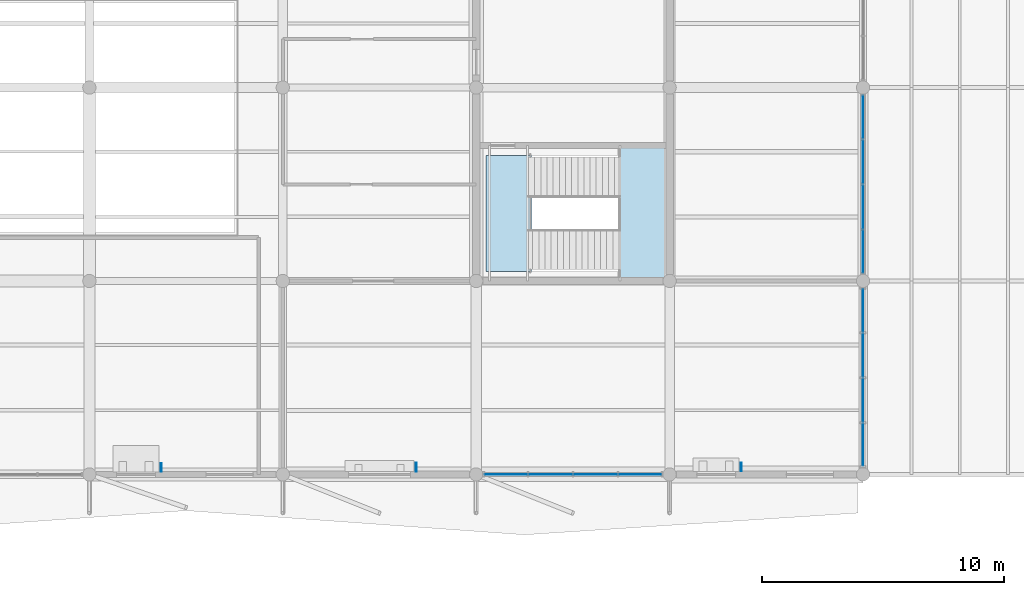
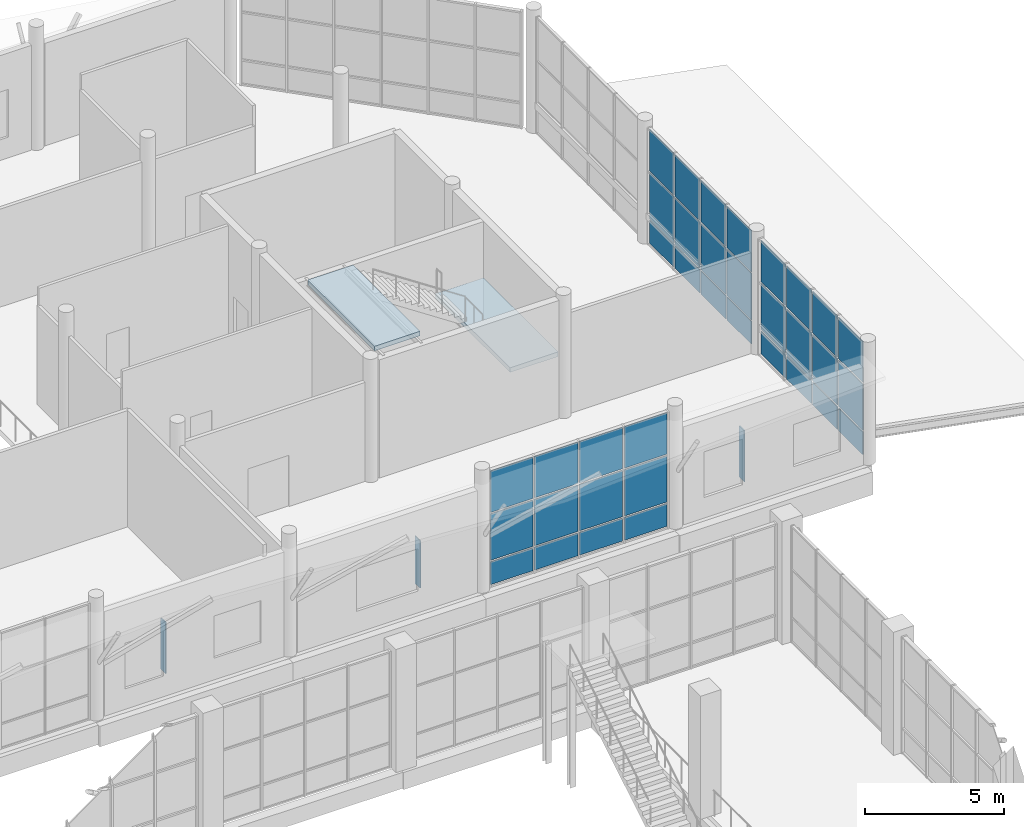
# One storey, part 96 of 122: 39 plates, 2 slabs, 4 elements without a shape of their own.
"""IFC4 building model written with IfcOpenShell, lengths in metres."""

from ifc_helpers import new_model, si_unit, direction, frame, origin, origin_2d, place, context, subcontext, project, spatial, polyline, rectangle, outline, extrude, material, layer, layer_set, type_object, element, aggregate, save


model = new_model("IFC4")

# Units and contexts
model_context = context("Model", 3, precision=1e-05, world=origin(), true_north=direction((0.0, 1.0)))
body_context = subcontext(model_context, "Body", "Model", "MODEL_VIEW")
ifc_project = project(units=[si_unit("LENGTHUNIT", "METRE"), si_unit("AREAUNIT", "SQUARE_METRE"), si_unit("VOLUMEUNIT", "CUBIC_METRE"), si_unit("PLANEANGLEUNIT", "RADIAN"), si_unit("MASSUNIT", "GRAM", prefix="KILO")], contexts=[model_context])

# Site, building, storey
site_placement = place(None, origin())
site = spatial("IfcSite", under=ifc_project, at=site_placement, CompositionType="ELEMENT")
building_placement = place(site_placement, origin())
building = spatial("IfcBuilding", under=site, at=building_placement, Name="Tenunan Teduh Sports Hall", CompositionType="ELEMENT")
storey_placement = place(building_placement, frame((0.0, 0.0, 5.39990234375)))
storey = spatial("IfcBuildingStorey", under=building, at=storey_placement, Name="L01", CompositionType="ELEMENT", Elevation=5.39990234375)

# Curtain wall, plates
ifc_material_1 = material(Name="Anodised aluminium", Category="aluminium")
curtain_wall_type = type_object("IfcCurtainWallType", Name="CW-UNIT-1", PredefinedType="NOTDEFINED", material=ifc_material_1)
curtain_wall_1_placement = place(storey_placement, origin())
curtain_wall_1 = element("IfcCurtainWall", 1, at=curtain_wall_1_placement, inside=storey, type_object=curtain_wall_type, Name="CW-CWM-200-L01-244", PredefinedType="NOTDEFINED")
ifc_material_2 = material(Name="Low-E laminated double glazing", Category="glass")
ifc_layer_1 = layer(ifc_material_2, 0.028076171875)
ifc_layer_set_1 = layer_set([ifc_layer_1], Name="Low-E laminated double glazing")
plate_type_1 = type_object("IfcPlateType", Name="CWP-GLZ-28", PredefinedType="CURTAIN_PANEL", material=ifc_layer_set_1)
plate_1_placement = place(storey_placement, frame((147.2236328125, 86.0, 1.13525390625), z_axis=(0.0, 0.0, 1.0), x_axis=(1.0, 0.0, 0.0)))
plate_1 = element("IfcPlate", 2, at=plate_1_placement, type_object=plate_type_1, Name="CW-01 panel 1.2", PredefinedType="CURTAIN_PANEL", context=body_context, shape_type="SweptSolid", body=[
    extrude(rectangle(XDim=1.757568359375, YDim=0.028076171875, at=origin_2d()), origin(), (0.0, 0.0, 1.0), 2.030029296875),
])
plate_2_placement = place(storey_placement, frame((147.2236328125, 86.0, 3.235107421875), z_axis=(0.0, 0.0, 1.0), x_axis=(1.0, 0.0, 0.0)))
plate_2 = element("IfcPlate", 3, at=plate_2_placement, type_object=plate_type_1, Name="CW-01 panel 1.3", PredefinedType="CURTAIN_PANEL", context=body_context, shape_type="SweptSolid", body=[
    extrude(rectangle(XDim=1.757568359375, YDim=0.028076171875, at=origin_2d()), origin(), (0.0, 0.0, 1.0), 1.81494140625),
])
plate_3_placement = place(storey_placement, frame((149.06884765625, 86.0, 1.13525390625), z_axis=(0.0, 0.0, 1.0), x_axis=(1.0, 0.0, 0.0)))
plate_3 = element("IfcPlate", 4, at=plate_3_placement, type_object=plate_type_1, Name="CW-01 panel 2.2", PredefinedType="CURTAIN_PANEL", context=body_context, shape_type="SweptSolid", body=[
    extrude(rectangle(XDim=1.79248046875, YDim=0.028076171875, at=origin_2d()), origin(), (0.0, 0.0, 1.0), 2.030029296875),
])
plate_4_placement = place(storey_placement, frame((149.06884765625, 86.0, 3.235107421875), z_axis=(0.0, 0.0, 1.0), x_axis=(1.0, 0.0, 0.0)))
plate_4 = element("IfcPlate", 5, at=plate_4_placement, type_object=plate_type_1, Name="CW-01 panel 2.3", PredefinedType="CURTAIN_PANEL", context=body_context, shape_type="SweptSolid", body=[
    extrude(rectangle(XDim=1.79248046875, YDim=0.028076171875, at=origin_2d()), origin(), (0.0, 0.0, 1.0), 1.81494140625),
])
plate_5_placement = place(storey_placement, frame((150.93115234375, 86.0, 1.13525390625), z_axis=(0.0, 0.0, 1.0), x_axis=(1.0, 0.0, 0.0)))
plate_5 = element("IfcPlate", 6, at=plate_5_placement, type_object=plate_type_1, Name="CW-01 panel 3.2", PredefinedType="CURTAIN_PANEL", context=body_context, shape_type="SweptSolid", body=[
    extrude(rectangle(XDim=1.79248046875, YDim=0.028076171875, at=origin_2d()), origin(), (0.0, 0.0, 1.0), 2.030029296875),
])
plate_6_placement = place(storey_placement, frame((150.93115234375, 86.0, 3.235107421875), z_axis=(0.0, 0.0, 1.0), x_axis=(1.0, 0.0, 0.0)))
plate_6 = element("IfcPlate", 7, at=plate_6_placement, type_object=plate_type_1, Name="CW-01 panel 3.3", PredefinedType="CURTAIN_PANEL", context=body_context, shape_type="SweptSolid", body=[
    extrude(rectangle(XDim=1.79248046875, YDim=0.028076171875, at=origin_2d()), origin(), (0.0, 0.0, 1.0), 1.81494140625),
])
plate_7_placement = place(storey_placement, frame((152.7763671875, 86.0, 1.13525390625), z_axis=(0.0, 0.0, 1.0), x_axis=(1.0, 0.0, 0.0)))
plate_7 = element("IfcPlate", 8, at=plate_7_placement, type_object=plate_type_1, Name="CW-01 panel 4.2", PredefinedType="CURTAIN_PANEL", context=body_context, shape_type="SweptSolid", body=[
    extrude(rectangle(XDim=1.757568359375, YDim=0.028076171875, at=origin_2d()), origin(), (0.0, 0.0, 1.0), 2.030029296875),
])
plate_8_placement = place(storey_placement, frame((152.7763671875, 86.0, 3.235107421875), z_axis=(0.0, 0.0, 1.0), x_axis=(1.0, 0.0, 0.0)))
plate_8 = element("IfcPlate", 9, at=plate_8_placement, type_object=plate_type_1, Name="CW-01 panel 4.3", PredefinedType="CURTAIN_PANEL", context=body_context, shape_type="SweptSolid", body=[
    extrude(rectangle(XDim=1.757568359375, YDim=0.028076171875, at=origin_2d()), origin(), (0.0, 0.0, 1.0), 1.81494140625),
])

curtain_wall_2_placement = place(storey_placement, origin())
curtain_wall_2 = element("IfcCurtainWall", 10, at=curtain_wall_2_placement, inside=storey, type_object=curtain_wall_type, Name="CW-CWM-175-L01-246", PredefinedType="NOTDEFINED")
plate_9_placement = place(storey_placement, frame((162.0, 95.222412109375, 1.1328125), z_axis=(0.0, 0.0, 1.0), x_axis=(0.0, 1.0, 0.0)))
plate_9 = element("IfcPlate", 11, at=plate_9_placement, type_object=plate_type_1, Name="CW-01 panel 1.2", PredefinedType="CURTAIN_PANEL", context=body_context, shape_type="SweptSolid", body=[
    extrude(rectangle(XDim=1.764892578125, YDim=0.028076171875, at=origin_2d()), origin(), (0.0, 0.0, 1.0), 2.034912109375),
])
plate_10_placement = place(storey_placement, frame((162.0, 95.222412109375, 3.232421875), z_axis=(0.0, 0.0, 1.0), x_axis=(0.0, 1.0, 0.0)))
plate_10 = element("IfcPlate", 12, at=plate_10_placement, type_object=plate_type_1, Name="CW-01 panel 1.3", PredefinedType="CURTAIN_PANEL", context=body_context, shape_type="SweptSolid", body=[
    extrude(rectangle(XDim=1.764892578125, YDim=0.028076171875, at=origin_2d()), origin(), (0.0, 0.0, 1.0), 1.822509765625),
])
plate_11_placement = place(storey_placement, frame((162.0, 97.06884765625, 1.1328125), z_axis=(0.0, 0.0, 1.0), x_axis=(0.0, 1.0, 0.0)))
plate_11 = element("IfcPlate", 13, at=plate_11_placement, type_object=plate_type_1, Name="CW-01 panel 2.2", PredefinedType="CURTAIN_PANEL", context=body_context, shape_type="SweptSolid", body=[
    extrude(rectangle(XDim=1.797607421875, YDim=0.028076171875, at=origin_2d()), origin(), (0.0, 0.0, 1.0), 2.034912109375),
])
plate_12_placement = place(storey_placement, frame((162.0, 97.06884765625, 3.232421875), z_axis=(0.0, 0.0, 1.0), x_axis=(0.0, 1.0, 0.0)))
plate_12 = element("IfcPlate", 14, at=plate_12_placement, type_object=plate_type_1, Name="CW-01 panel 2.3", PredefinedType="CURTAIN_PANEL", context=body_context, shape_type="SweptSolid", body=[
    extrude(rectangle(XDim=1.797607421875, YDim=0.028076171875, at=origin_2d()), origin(), (0.0, 0.0, 1.0), 1.822509765625),
])
plate_13_placement = place(storey_placement, frame((162.0, 98.93115234375, 1.1328125), z_axis=(0.0, 0.0, 1.0), x_axis=(0.0, 1.0, 0.0)))
plate_13 = element("IfcPlate", 15, at=plate_13_placement, type_object=plate_type_1, Name="CW-01 panel 3.2", PredefinedType="CURTAIN_PANEL", context=body_context, shape_type="SweptSolid", body=[
    extrude(rectangle(XDim=1.797607421875, YDim=0.028076171875, at=origin_2d()), origin(), (0.0, 0.0, 1.0), 2.034912109375),
])
plate_14_placement = place(storey_placement, frame((162.0, 98.93115234375, 3.232421875), z_axis=(0.0, 0.0, 1.0), x_axis=(0.0, 1.0, 0.0)))
plate_14 = element("IfcPlate", 16, at=plate_14_placement, type_object=plate_type_1, Name="CW-01 panel 3.3", PredefinedType="CURTAIN_PANEL", context=body_context, shape_type="SweptSolid", body=[
    extrude(rectangle(XDim=1.797607421875, YDim=0.028076171875, at=origin_2d()), origin(), (0.0, 0.0, 1.0), 1.822509765625),
])
plate_15_placement = place(storey_placement, frame((162.0, 100.777587890625, 1.1328125), z_axis=(0.0, 0.0, 1.0), x_axis=(0.0, 1.0, 0.0)))
plate_15 = element("IfcPlate", 17, at=plate_15_placement, type_object=plate_type_1, Name="CW-01 panel 4.2", PredefinedType="CURTAIN_PANEL", context=body_context, shape_type="SweptSolid", body=[
    extrude(rectangle(XDim=1.764892578125, YDim=0.028076171875, at=origin_2d()), origin(), (0.0, 0.0, 1.0), 2.034912109375),
])
plate_16_placement = place(storey_placement, frame((162.0, 100.777587890625, 3.232421875), z_axis=(0.0, 0.0, 1.0), x_axis=(0.0, 1.0, 0.0)))
plate_16 = element("IfcPlate", 18, at=plate_16_placement, type_object=plate_type_1, Name="CW-01 panel 4.3", PredefinedType="CURTAIN_PANEL", context=body_context, shape_type="SweptSolid", body=[
    extrude(rectangle(XDim=1.764892578125, YDim=0.028076171875, at=origin_2d()), origin(), (0.0, 0.0, 1.0), 1.822509765625),
])

curtain_wall_3_placement = place(storey_placement, origin())
curtain_wall_3 = element("IfcCurtainWall", 19, at=curtain_wall_3_placement, inside=storey, type_object=curtain_wall_type, Name="CW-CWM-220-L01-245", PredefinedType="NOTDEFINED")
ifc_material_3 = material(Name="Solar-control laminated glazing", Category="glass")
ifc_layer_2 = layer(ifc_material_3, 0.031982421875)
ifc_layer_set_2 = layer_set([ifc_layer_2], Name="Solar-control laminated glazing")
plate_type_2 = type_object("IfcPlateType", Name="CWP-GLZ-32", PredefinedType="CURTAIN_PANEL", material=ifc_layer_set_2)
plate_17_placement = place(storey_placement, frame((162.0, 87.22509765625, 1.1376953125), z_axis=(0.0, 0.0, 1.0), x_axis=(0.0, 1.0, 0.0)))
plate_17 = element("IfcPlate", 20, at=plate_17_placement, type_object=plate_type_2, Name="CW-01 panel 1.2", PredefinedType="CURTAIN_PANEL", context=body_context, shape_type="SweptSolid", body=[
    extrude(rectangle(XDim=1.75, YDim=0.031982421875, at=origin_2d()), origin(), (0.0, 0.0, 1.0), 2.02490234375),
])
plate_18_placement = place(storey_placement, frame((162.0, 87.22509765625, 3.237548828125), z_axis=(0.0, 0.0, 1.0), x_axis=(0.0, 1.0, 0.0)))
plate_18 = element("IfcPlate", 21, at=plate_18_placement, type_object=plate_type_2, Name="CW-01 panel 1.3", PredefinedType="CURTAIN_PANEL", context=body_context, shape_type="SweptSolid", body=[
    extrude(rectangle(XDim=1.75, YDim=0.031982421875, at=origin_2d()), origin(), (0.0, 0.0, 1.0), 1.8076171875),
])
plate_19_placement = place(storey_placement, frame((162.0, 89.06884765625, 1.1376953125), z_axis=(0.0, 0.0, 1.0), x_axis=(0.0, 1.0, 0.0)))
plate_19 = element("IfcPlate", 22, at=plate_19_placement, type_object=plate_type_2, Name="CW-01 panel 2.2", PredefinedType="CURTAIN_PANEL", context=body_context, shape_type="SweptSolid", body=[
    extrude(rectangle(XDim=1.78759765625, YDim=0.031982421875, at=origin_2d()), origin(), (0.0, 0.0, 1.0), 2.02490234375),
])
plate_20_placement = place(storey_placement, frame((162.0, 89.06884765625, 3.237548828125), z_axis=(0.0, 0.0, 1.0), x_axis=(0.0, 1.0, 0.0)))
plate_20 = element("IfcPlate", 23, at=plate_20_placement, type_object=plate_type_2, Name="CW-01 panel 2.3", PredefinedType="CURTAIN_PANEL", context=body_context, shape_type="SweptSolid", body=[
    extrude(rectangle(XDim=1.78759765625, YDim=0.031982421875, at=origin_2d()), origin(), (0.0, 0.0, 1.0), 1.8076171875),
])
plate_21_placement = place(storey_placement, frame((162.0, 90.93115234375, 1.1376953125), z_axis=(0.0, 0.0, 1.0), x_axis=(0.0, 1.0, 0.0)))
plate_21 = element("IfcPlate", 24, at=plate_21_placement, type_object=plate_type_2, Name="CW-01 panel 3.2", PredefinedType="CURTAIN_PANEL", context=body_context, shape_type="SweptSolid", body=[
    extrude(rectangle(XDim=1.78759765625, YDim=0.031982421875, at=origin_2d()), origin(), (0.0, 0.0, 1.0), 2.02490234375),
])
plate_22_placement = place(storey_placement, frame((162.0, 90.93115234375, 3.237548828125), z_axis=(0.0, 0.0, 1.0), x_axis=(0.0, 1.0, 0.0)))
plate_22 = element("IfcPlate", 25, at=plate_22_placement, type_object=plate_type_2, Name="CW-01 panel 3.3", PredefinedType="CURTAIN_PANEL", context=body_context, shape_type="SweptSolid", body=[
    extrude(rectangle(XDim=1.78759765625, YDim=0.031982421875, at=origin_2d()), origin(), (0.0, 0.0, 1.0), 1.8076171875),
])
plate_23_placement = place(storey_placement, frame((162.0, 92.77490234375, 1.1376953125), z_axis=(0.0, 0.0, 1.0), x_axis=(0.0, 1.0, 0.0)))
plate_23 = element("IfcPlate", 26, at=plate_23_placement, type_object=plate_type_2, Name="CW-01 panel 4.2", PredefinedType="CURTAIN_PANEL", context=body_context, shape_type="SweptSolid", body=[
    extrude(rectangle(XDim=1.75, YDim=0.031982421875, at=origin_2d()), origin(), (0.0, 0.0, 1.0), 2.02490234375),
])
plate_24_placement = place(storey_placement, frame((162.0, 92.77490234375, 3.237548828125), z_axis=(0.0, 0.0, 1.0), x_axis=(0.0, 1.0, 0.0)))
plate_24 = element("IfcPlate", 27, at=plate_24_placement, type_object=plate_type_2, Name="CW-01 panel 4.3", PredefinedType="CURTAIN_PANEL", context=body_context, shape_type="SweptSolid", body=[
    extrude(rectangle(XDim=1.75, YDim=0.031982421875, at=origin_2d()), origin(), (0.0, 0.0, 1.0), 1.8076171875),
])

# Plate
ifc_material_4 = material(Name="Insulated aluminium spandrel panel", Category="aluminium")
ifc_layer_3 = layer(ifc_material_4, 0.044921875)
ifc_layer_set_3 = layer_set([ifc_layer_3], Name="Insulated aluminium spandrel panel")
plate_type_3 = type_object("IfcPlateType", Name="CWP-SPN-45", PredefinedType="CURTAIN_PANEL", material=ifc_layer_set_3)
plate_25_placement = place(storey_placement, frame((147.2236328125, 86.0, 0.070068359375), z_axis=(0.0, 0.0, 1.0), x_axis=(1.0, 0.0, 0.0)))
plate_25 = element("IfcPlate", 28, at=plate_25_placement, type_object=plate_type_3, Name="CW-01 panel 1.1", PredefinedType="CURTAIN_PANEL", context=body_context, shape_type="SweptSolid", body=[
    extrude(rectangle(XDim=1.757568359375, YDim=0.028076171875, at=origin_2d()), origin(), (0.0, 0.0, 1.0), 0.9951171875),
])

plate_26_placement = place(storey_placement, frame((149.06884765625, 86.0, 0.070068359375), z_axis=(0.0, 0.0, 1.0), x_axis=(1.0, 0.0, 0.0)))
plate_26 = element("IfcPlate", 29, at=plate_26_placement, type_object=plate_type_3, Name="CW-01 panel 2.1", PredefinedType="CURTAIN_PANEL", context=body_context, shape_type="SweptSolid", body=[
    extrude(rectangle(XDim=1.79248046875, YDim=0.028076171875, at=origin_2d()), origin(), (0.0, 0.0, 1.0), 0.9951171875),
])

plate_27_placement = place(storey_placement, frame((150.93115234375, 86.0, 0.070068359375), z_axis=(0.0, 0.0, 1.0), x_axis=(1.0, 0.0, 0.0)))
plate_27 = element("IfcPlate", 30, at=plate_27_placement, type_object=plate_type_3, Name="CW-01 panel 3.1", PredefinedType="CURTAIN_PANEL", context=body_context, shape_type="SweptSolid", body=[
    extrude(rectangle(XDim=1.79248046875, YDim=0.028076171875, at=origin_2d()), origin(), (0.0, 0.0, 1.0), 0.9951171875),
])

plate_28_placement = place(storey_placement, frame((152.7763671875, 86.0, 0.070068359375), z_axis=(0.0, 0.0, 1.0), x_axis=(1.0, 0.0, 0.0)))
plate_28 = element("IfcPlate", 31, at=plate_28_placement, type_object=plate_type_3, Name="CW-01 panel 4.1", PredefinedType="CURTAIN_PANEL", context=body_context, shape_type="SweptSolid", body=[
    extrude(rectangle(XDim=1.757568359375, YDim=0.028076171875, at=origin_2d()), origin(), (0.0, 0.0, 1.0), 0.9951171875),
])

aggregate(curtain_wall_1, [plate_25, plate_1, plate_2, plate_26, plate_3, plate_4, plate_27, plate_5, plate_6, plate_28, plate_7, plate_8])

plate_29_placement = place(storey_placement, frame((162.0, 87.22509765625, 0.0751953125), z_axis=(0.0, 0.0, 1.0), x_axis=(0.0, 1.0, 0.0)))
plate_29 = element("IfcPlate", 32, at=plate_29_placement, type_object=plate_type_3, Name="CW-01 panel 1.1", PredefinedType="CURTAIN_PANEL", context=body_context, shape_type="SweptSolid", body=[
    extrude(rectangle(XDim=1.75, YDim=0.031982421875, at=origin_2d()), origin(), (0.0, 0.0, 1.0), 0.987548828125),
])

plate_30_placement = place(storey_placement, frame((162.0, 89.06884765625, 0.0751953125), z_axis=(0.0, 0.0, 1.0), x_axis=(0.0, 1.0, 0.0)))
plate_30 = element("IfcPlate", 33, at=plate_30_placement, type_object=plate_type_3, Name="CW-01 panel 2.1", PredefinedType="CURTAIN_PANEL", context=body_context, shape_type="SweptSolid", body=[
    extrude(rectangle(XDim=1.78759765625, YDim=0.031982421875, at=origin_2d()), origin(), (0.0, 0.0, 1.0), 0.987548828125),
])

plate_31_placement = place(storey_placement, frame((162.0, 90.93115234375, 0.0751953125), z_axis=(0.0, 0.0, 1.0), x_axis=(0.0, 1.0, 0.0)))
plate_31 = element("IfcPlate", 34, at=plate_31_placement, type_object=plate_type_3, Name="CW-01 panel 3.1", PredefinedType="CURTAIN_PANEL", context=body_context, shape_type="SweptSolid", body=[
    extrude(rectangle(XDim=1.78759765625, YDim=0.031982421875, at=origin_2d()), origin(), (0.0, 0.0, 1.0), 0.987548828125),
])

plate_32_placement = place(storey_placement, frame((162.0, 92.77490234375, 0.0751953125), z_axis=(0.0, 0.0, 1.0), x_axis=(0.0, 1.0, 0.0)))
plate_32 = element("IfcPlate", 35, at=plate_32_placement, type_object=plate_type_3, Name="CW-01 panel 4.1", PredefinedType="CURTAIN_PANEL", context=body_context, shape_type="SweptSolid", body=[
    extrude(rectangle(XDim=1.75, YDim=0.031982421875, at=origin_2d()), origin(), (0.0, 0.0, 1.0), 0.987548828125),
])

aggregate(curtain_wall_3, [plate_29, plate_17, plate_18, plate_30, plate_19, plate_20, plate_31, plate_21, plate_22, plate_32, plate_23, plate_24])

plate_33_placement = place(storey_placement, frame((162.0, 95.222412109375, 0.065185546875), z_axis=(0.0, 0.0, 1.0), x_axis=(0.0, 1.0, 0.0)))
plate_33 = element("IfcPlate", 36, at=plate_33_placement, type_object=plate_type_3, Name="CW-01 panel 1.1", PredefinedType="CURTAIN_PANEL", context=body_context, shape_type="SweptSolid", body=[
    extrude(rectangle(XDim=1.764892578125, YDim=0.028076171875, at=origin_2d()), origin(), (0.0, 0.0, 1.0), 1.00244140625),
])

plate_34_placement = place(storey_placement, frame((162.0, 97.06884765625, 0.065185546875), z_axis=(0.0, 0.0, 1.0), x_axis=(0.0, 1.0, 0.0)))
plate_34 = element("IfcPlate", 37, at=plate_34_placement, type_object=plate_type_3, Name="CW-01 panel 2.1", PredefinedType="CURTAIN_PANEL", context=body_context, shape_type="SweptSolid", body=[
    extrude(rectangle(XDim=1.797607421875, YDim=0.028076171875, at=origin_2d()), origin(), (0.0, 0.0, 1.0), 1.00244140625),
])

plate_35_placement = place(storey_placement, frame((162.0, 98.93115234375, 0.065185546875), z_axis=(0.0, 0.0, 1.0), x_axis=(0.0, 1.0, 0.0)))
plate_35 = element("IfcPlate", 38, at=plate_35_placement, type_object=plate_type_3, Name="CW-01 panel 3.1", PredefinedType="CURTAIN_PANEL", context=body_context, shape_type="SweptSolid", body=[
    extrude(rectangle(XDim=1.797607421875, YDim=0.028076171875, at=origin_2d()), origin(), (0.0, 0.0, 1.0), 1.00244140625),
])

plate_36_placement = place(storey_placement, frame((162.0, 100.777587890625, 0.065185546875), z_axis=(0.0, 0.0, 1.0), x_axis=(0.0, 1.0, 0.0)))
plate_36 = element("IfcPlate", 39, at=plate_36_placement, type_object=plate_type_3, Name="CW-01 panel 4.1", PredefinedType="CURTAIN_PANEL", context=body_context, shape_type="SweptSolid", body=[
    extrude(rectangle(XDim=1.764892578125, YDim=0.028076171875, at=origin_2d()), origin(), (0.0, 0.0, 1.0), 1.00244140625),
])

aggregate(curtain_wall_2, [plate_33, plate_9, plate_10, plate_34, plate_11, plate_12, plate_35, plate_13, plate_14, plate_36, plate_15, plate_16])

# Plates
ifc_material_5 = material(Name="Anodised aluminium", Category="aluminium")
ifc_layer_4 = layer(ifc_material_5, 1.89990234375)
ifc_layer_set_4 = layer_set([ifc_layer_4], Name="Anodised aluminium")
plate_type_4 = type_object("IfcPlateType", Name="PLT-FIN-1", PredefinedType="SHEET", material=ifc_layer_set_4)
plate_37_placement = place(storey_placement, frame((132.965087890625, 86.284912109375, 0.7802734375), z_axis=(0.0, 0.0, 1.0), x_axis=(1.0, 0.0, 0.0)))
element("IfcPlate", 40, at=plate_37_placement, inside=storey, type_object=plate_type_4, Name="PLT-FIN-L01-083", PredefinedType="SHEET", context=body_context, shape_type="SweptSolid", body=[
    extrude(rectangle(XDim=0.0400390625, YDim=0.360107421875, at=origin_2d()), origin(), (0.0, 0.0, 1.0), 2.239990234375),
])
plate_38_placement = place(storey_placement, frame((143.514892578125, 86.300048828125, 0.830078125), z_axis=(0.0, 0.0, 1.0), x_axis=(1.0, 0.0, 0.0)))
element("IfcPlate", 41, at=plate_38_placement, inside=storey, type_object=plate_type_4, Name="PLT-FIN-L01-084", PredefinedType="SHEET", context=body_context, shape_type="SweptSolid", body=[
    extrude(rectangle(XDim=0.0400390625, YDim=0.360107421875, at=origin_2d()), origin(), (0.0, 0.0, 1.0), 2.090087890625),
])
plate_39_placement = place(storey_placement, frame((156.965087890625, 86.304931640625, 0.7802734375), z_axis=(0.0, 0.0, 1.0), x_axis=(1.0, 0.0, 0.0)))
element("IfcPlate", 42, at=plate_39_placement, inside=storey, type_object=plate_type_4, Name="PLT-FIN-L01-085", PredefinedType="SHEET", context=body_context, shape_type="SweptSolid", body=[
    extrude(rectangle(XDim=0.0400390625, YDim=0.360107421875, at=origin_2d()), origin(), (0.0, 0.0, 1.0), 2.239990234375),
])

# Stair, slabs
ifc_material_6 = material(Name="Precast concrete C40/50", Category="concrete")
stair_type = type_object("IfcStairType", Name="STR-CORE-42", PredefinedType="HALF_TURN_STAIR", material=ifc_material_6)
stair_placement = place(storey_placement, origin())
stair = element("IfcStair", 43, at=stair_placement, inside=storey, type_object=stair_type, Name="STR-E2-L01", PredefinedType="HALF_TURN_STAIR")
ifc_material_7 = material(Name="Precast concrete C40/50", Category="concrete")
ifc_layer_5 = layer(ifc_material_7, 0.199951171875)
ifc_layer_set_5 = layer_set([ifc_layer_5], Name="Precast concrete C40/50")
slab_type = type_object("IfcSlabType", Name="SLB-LND-200", PredefinedType="LANDING", material=ifc_layer_set_5)
slab_1_placement = place(storey_placement, frame((0.0, 0.0, 2.5)))
slab_1 = element("IfcSlab", 44, at=slab_1_placement, type_object=slab_type, Name="ST-20 landing 1", PredefinedType="LANDING", context=body_context, shape_type="SweptSolid", body=[
    extrude(outline(polyline([(151.864990234375, 94.139892578125), (153.860107421875, 94.139892578125), (153.860107421875, 99.5), (151.864990234375, 99.5), (151.864990234375, 94.139892578125)])), origin(), (0.0, 0.0, 1.0), 0.2001953125),
])
slab_2_placement = place(storey_placement, frame((0.0, 0.0, 5.2001953125)))
slab_2 = element("IfcSlab", 45, at=slab_2_placement, type_object=slab_type, Name="ST-20 landing 2", PredefinedType="LANDING", context=body_context, shape_type="SweptSolid", body=[
    extrude(outline(polyline([(146.39990234375, 94.39990234375), (148.280029296875, 94.39990234375), (148.280029296875, 99.199951171875), (146.39990234375, 99.199951171875), (146.39990234375, 94.39990234375)])), origin(), (0.0, 0.0, 1.0), 0.199951171875),
])
aggregate(stair, [slab_1, slab_2])

save(model, "model.ifc")
